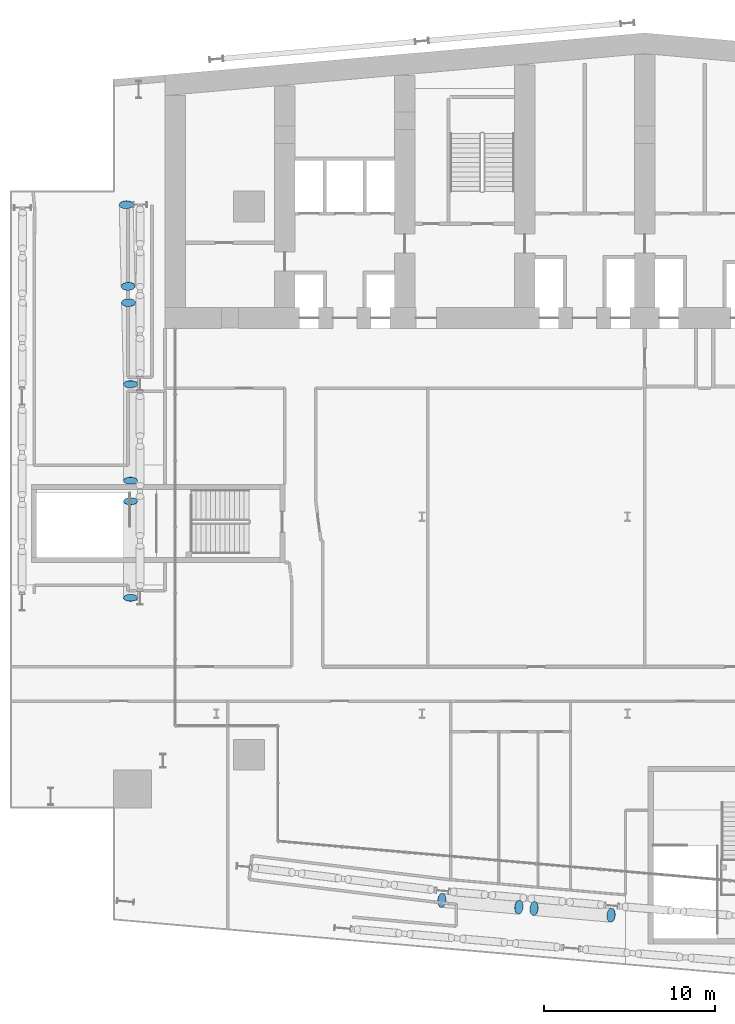
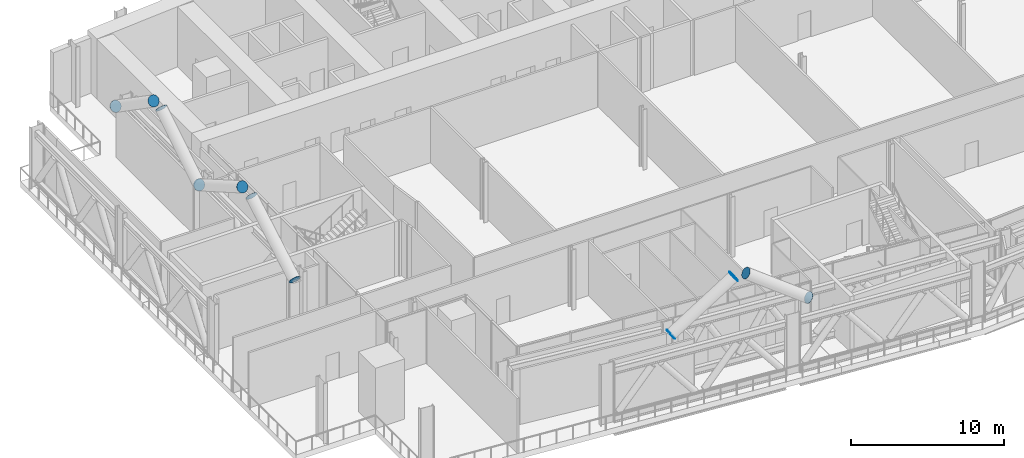
# One storey, part 24 of 39: 11 discrete accessories.
"""IFC4 building model written with IfcOpenShell, lengths in metres."""

from ifc_helpers import new_model, si_unit, direction, frame, origin, origin_2d, place, context, subcontext, project, spatial, circle, extrude, material, material_profile, profile_set, type_object, element, save


model = new_model("IFC4")

# Units and contexts
model_context = context("Model", 3, precision=1e-05, world=origin(), true_north=direction((0.0, 1.0)))
body_context = subcontext(model_context, "Body", "Model", "MODEL_VIEW")
ifc_project = project(units=[si_unit("LENGTHUNIT", "METRE"), si_unit("AREAUNIT", "SQUARE_METRE"), si_unit("VOLUMEUNIT", "CUBIC_METRE"), si_unit("PLANEANGLEUNIT", "RADIAN"), si_unit("MASSUNIT", "GRAM", prefix="KILO")], contexts=[model_context])

# Site, building, storey
site_placement = place(None, origin())
site = spatial("IfcSite", under=ifc_project, at=site_placement, CompositionType="ELEMENT")
building_placement = place(site_placement, origin())
building = spatial("IfcBuilding", under=site, at=building_placement, Name="Wharfspan Tower", CompositionType="ELEMENT")
storey_placement = place(building_placement, frame((0.0, 0.0, 91.899902)))
storey = spatial("IfcBuildingStorey", under=building, at=storey_placement, Name="L20", CompositionType="ELEMENT", Elevation=91.899902)

# Discrete accessories
ifc_material = material(Name="Steel S460NH", Category="steel")
ifc_material_profile = material_profile(ifc_material, circle(Radius=0.406494, at=origin_2d()))
ifc_profile_set = profile_set([ifc_material_profile], Name="Steel S460NH")
discrete_accessory_type = type_object("IfcDiscreteAccessoryType", Name="End plate CHS 813x40", PredefinedType="BRACKET", material=ifc_profile_set)
for number, where, z_axis, x_axis, name in (
    (1, (25.157227, 0.596436, 4.094238), (0.806559, -0.073324, 0.586588), (0.090536, 0.99589, 0.0), "End plate CHS 813x40"),
    (2, (29.654785, 0.202881, 7.373291), (0.806559, -0.073324, 0.586588), (0.090536, 0.99589, 0.0), "End plate CHS 813x40"),
    (3, (35.048828, -0.269043, 4.094238), (-0.806559, 0.073324, 0.586588), (-0.090536, -0.99589, 0.0), "End plate CHS 813x40"),
    (4, (30.551514, 0.124512, 7.373291), (-0.806559, 0.073324, 0.586588), (-0.090536, -0.99589, 0.0), "End plate CHS 813x40"),
):
    element("IfcDiscreteAccessory", number, at=place(storey_placement, frame(where, z_axis=z_axis, x_axis=x_axis)), inside=storey, type_object=discrete_accessory_type, Name=name, PredefinedType="BRACKET", context=body_context, shape_type="SweptSolid", body=[
        extrude(circle(Radius=0.406494, at=origin_2d()), origin(), (0.0, 0.0, 1.0), 0.01001),
    ])
for number, where, z_axis, x_axis, name in (
    (5, (6.985107, 30.741943, 4.095215), (0.0, -0.868243, 0.496139), (1.0, 0.0, 0.0), "End plate CHS 813x40"),
    (6, (6.985107, 25.105957, 7.350098), (0.0, -0.868243, 0.496139), (1.0, 0.0, 0.0), "End plate CHS 813x40"),
    (7, (6.985107, 18.258057, 4.095215), (0.0, 0.868243, 0.496139), (-1.0, 0.0, 0.0), "End plate CHS 813x40"),
    (8, (6.985107, 23.894043, 7.350098), (0.0, 0.868243, 0.496139), (-1.0, 0.0, 0.0), "End plate CHS 813x40"),
):
    element("IfcDiscreteAccessory", number, at=place(storey_placement, frame(where, z_axis=z_axis, x_axis=x_axis)), inside=storey, type_object=discrete_accessory_type, Name=name, PredefinedType="BRACKET", context=body_context, shape_type="SweptSolid", body=[
        extrude(circle(Radius=0.406494, at=origin_2d()), origin(), (0.0, 0.0, 1.0), 0.009766),
    ])
discrete_accessory_1_placement = place(storey_placement, frame((6.733887, 41.216309, 4.094482), z_axis=(0.024354, -0.828038, 0.560143), x_axis=(0.999568, 0.029399, 0.0)))
element("IfcDiscreteAccessory", 9, at=discrete_accessory_1_placement, inside=storey, type_object=discrete_accessory_type, Name="End plate CHS 813x40", PredefinedType="BRACKET", context=body_context, shape_type="SweptSolid", body=[
    extrude(circle(Radius=0.406494, at=origin_2d()), origin(), (0.0, 0.0, 1.0), 0.01001),
])
discrete_accessory_2_placement = place(storey_placement, frame((6.8479, 36.455078, 7.367188), z_axis=(0.024853, -0.820145, 0.571616), x_axis=(0.999542, 0.03029, 1e-06)))
element("IfcDiscreteAccessory", 10, at=discrete_accessory_2_placement, inside=storey, type_object=discrete_accessory_type, Name="End plate CHS 813x40", PredefinedType="BRACKET", context=body_context, shape_type="SweptSolid", body=[
    extrude(circle(Radius=0.406494, at=origin_2d()), origin(), (0.0, 0.0, 1.0), 0.009766),
])
discrete_accessory_3_placement = place(storey_placement, frame((6.871094, 35.486084, 7.367188), z_axis=(-0.024354, 0.828038, 0.560143), x_axis=(-0.999568, -0.029399, 0.0)))
element("IfcDiscreteAccessory", 11, at=discrete_accessory_3_placement, inside=storey, type_object=discrete_accessory_type, Name="End plate CHS 813x40", PredefinedType="BRACKET", context=body_context, shape_type="SweptSolid", body=[
    extrude(circle(Radius=0.406494, at=origin_2d()), origin(), (0.0, 0.0, 1.0), 0.01001),
])

save(model, "model.ifc")
